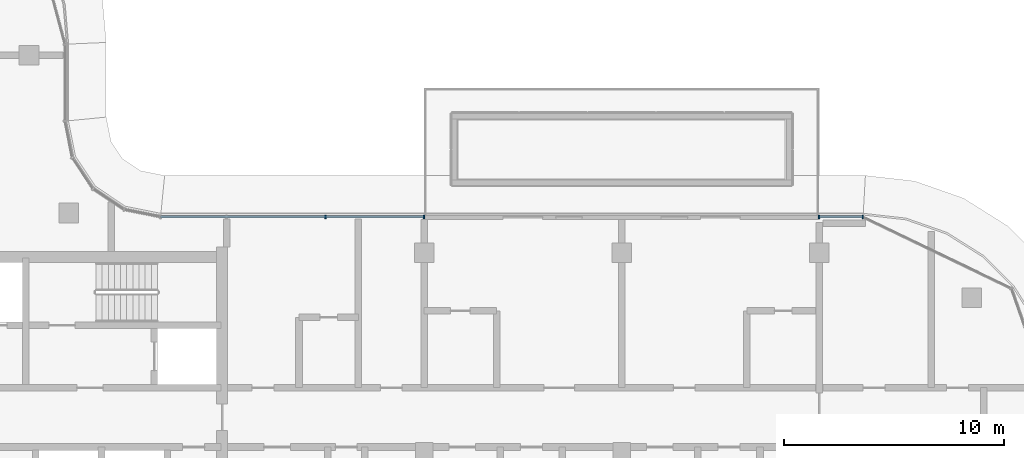
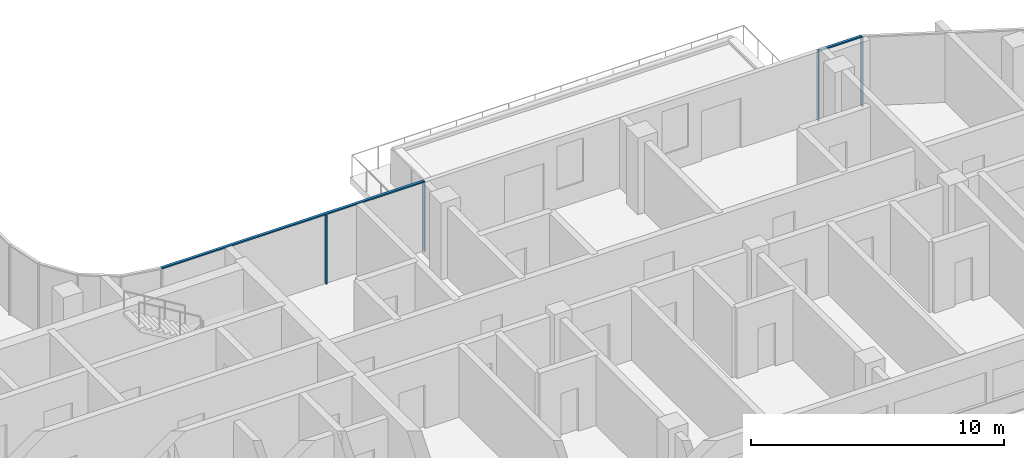
# One storey, part 4 of 20: 6 members, 2 elements without a shape of their own.
"""IFC4 building model written with IfcOpenShell, lengths in metres."""

from ifc_helpers import new_model, si_unit, direction, frame, origin, origin_2d, place, context, subcontext, project, spatial, rectangle, extrude, material, material_profile, profile_set, type_object, element, aggregate, save


model = new_model("IFC4")

# Units and contexts
model_context = context("Model", 3, precision=1e-05, world=origin(), true_north=direction((0.0, 1.0)))
body_context = subcontext(model_context, "Body", "Model", "MODEL_VIEW")
ifc_project = project(units=[si_unit("LENGTHUNIT", "METRE"), si_unit("AREAUNIT", "SQUARE_METRE"), si_unit("VOLUMEUNIT", "CUBIC_METRE"), si_unit("PLANEANGLEUNIT", "RADIAN"), si_unit("MASSUNIT", "GRAM", prefix="KILO")], contexts=[model_context])

# Site, building, storey
site_placement = place(None, origin())
site = spatial("IfcSite", under=ifc_project, at=site_placement, CompositionType="ELEMENT")
building_placement = place(site_placement, origin())
building = spatial("IfcBuilding", under=site, at=building_placement, Name="Ogive Portal Towers", CompositionType="ELEMENT")
storey_placement = place(building_placement, frame((0.0, 0.0, 195.800048828125)))
storey = spatial("IfcBuildingStorey", under=building, at=storey_placement, Name="L48", CompositionType="ELEMENT", Elevation=195.800048828125)

# Curtain wall, members
ifc_material_1 = material(Name="Glass, clear low-iron insulated glazing", Category="glass")
curtain_wall_type = type_object("IfcCurtainWallType", Name="CW FRONT RIBBON 4500", PredefinedType="NOTDEFINED", material=ifc_material_1)
curtain_wall_1_placement = place(storey_placement, origin())
curtain_wall_1 = element("IfcCurtainWall", 1, at=curtain_wall_1_placement, inside=storey, type_object=curtain_wall_type, Name="A:L48:f13:cw0", PredefinedType="NOTDEFINED")
ifc_material_2 = material(Name="Aluminium 6063 anodised", Category="aluminium")
ifc_material_profile_1 = material_profile(ifc_material_2, rectangle(XDim=0.159912109375, YDim=0.06005859375, at=origin_2d()), Name="AL 60x160")
ifc_profile_set_1 = profile_set([ifc_material_profile_1], Name="Aluminium 6063 anodised")
member_type_1 = type_object("IfcMemberType", Name="CW MULLION 60x160", PredefinedType="MULLION", material=ifc_profile_set_1)
member_1_placement = place(storey_placement, frame((87.481689453125, 41.135009765625, 0.0), z_axis=(0.0, 0.0, 1.0), x_axis=(0.0, -1.0, 0.0)))
member_1 = element("IfcMember", 2, at=member_1_placement, type_object=member_type_1, Name="mullion", PredefinedType="MULLION", context=body_context, shape_type="SweptSolid", body=[
    extrude(rectangle(XDim=0.159912109375, YDim=0.06005859375, at=origin_2d()), origin(), (0.0, 0.0, 1.0), 3.33984375),
])
member_2_placement = place(storey_placement, frame((85.482421875, 41.135009765625, 0.0), z_axis=(0.0, 0.0, 1.0), x_axis=(0.0, -1.0, 0.0)))
member_2 = element("IfcMember", 3, at=member_2_placement, type_object=member_type_1, Name="mullion", PredefinedType="MULLION", context=body_context, shape_type="SweptSolid", body=[
    extrude(rectangle(XDim=0.159912109375, YDim=0.06005859375, at=origin_2d()), origin(), (0.0, 0.0, 1.0), 3.33984375),
])

curtain_wall_2_placement = place(storey_placement, origin())
curtain_wall_2 = element("IfcCurtainWall", 4, at=curtain_wall_2_placement, inside=storey, type_object=curtain_wall_type, Name="A:L48:f13:cw1", PredefinedType="NOTDEFINED")
member_3_placement = place(storey_placement, frame((67.48828125, 41.135009765625, 0.0), z_axis=(0.0, 0.0, 1.0), x_axis=(0.0, -1.0, 0.0)))
member_3 = element("IfcMember", 5, at=member_3_placement, type_object=member_type_1, Name="mullion", PredefinedType="MULLION", context=body_context, shape_type="SweptSolid", body=[
    extrude(rectangle(XDim=0.159912109375, YDim=0.06005859375, at=origin_2d()), origin(), (0.0, 0.0, 1.0), 3.33984375),
])
member_4_placement = place(storey_placement, frame((63.0, 41.135009765625, 0.0), z_axis=(0.0, 0.0, 1.0), x_axis=(0.0, -1.0, 0.0)))
member_4 = element("IfcMember", 6, at=member_4_placement, type_object=member_type_1, Name="mullion", PredefinedType="MULLION", context=body_context, shape_type="SweptSolid", body=[
    extrude(rectangle(XDim=0.159912109375, YDim=0.06005859375, at=origin_2d()), origin(), (0.0, 0.0, 1.0), 3.33984375),
])

# Member
ifc_material_profile_2 = material_profile(ifc_material_2, rectangle(XDim=0.1201171875, YDim=0.06005859375, at=origin_2d()), Name="AL 120x60")
ifc_profile_set_2 = profile_set([ifc_material_profile_2], Name="Aluminium 6063 anodised")
member_type_2 = type_object("IfcMemberType", Name="CW TRANSOM 60x120", PredefinedType="USERDEFINED", material=ifc_profile_set_2)
member_5_placement = place(storey_placement, frame((87.481689453125, 41.135009765625, 3.369873046875), z_axis=(-1.0, 0.0, 0.0), x_axis=(0.0, -1.0, 0.0)))
member_5 = element("IfcMember", 7, at=member_5_placement, type_object=member_type_2, Name="transom", ObjectType="TRANSOM", PredefinedType="USERDEFINED", context=body_context, shape_type="SweptSolid", body=[
    extrude(rectangle(XDim=0.1201171875, YDim=0.06005859375, at=origin_2d()), origin(), (0.0, 0.0, 1.0), 1.999267578125),
])

aggregate(curtain_wall_1, [member_5, member_1, member_2])

member_6_placement = place(storey_placement, frame((67.48828125, 41.135009765625, 3.369873046875), z_axis=(-1.0, 0.0, 0.0), x_axis=(0.0, -1.0, 0.0)))
member_6 = element("IfcMember", 8, at=member_6_placement, type_object=member_type_2, Name="transom", ObjectType="TRANSOM", PredefinedType="USERDEFINED", context=body_context, shape_type="SweptSolid", body=[
    extrude(rectangle(XDim=0.1201171875, YDim=0.06005859375, at=origin_2d()), origin(), (0.0, 0.0, 1.0), 11.99609375),
])

aggregate(curtain_wall_2, [member_6, member_3, member_4])

save(model, "model.ifc")
